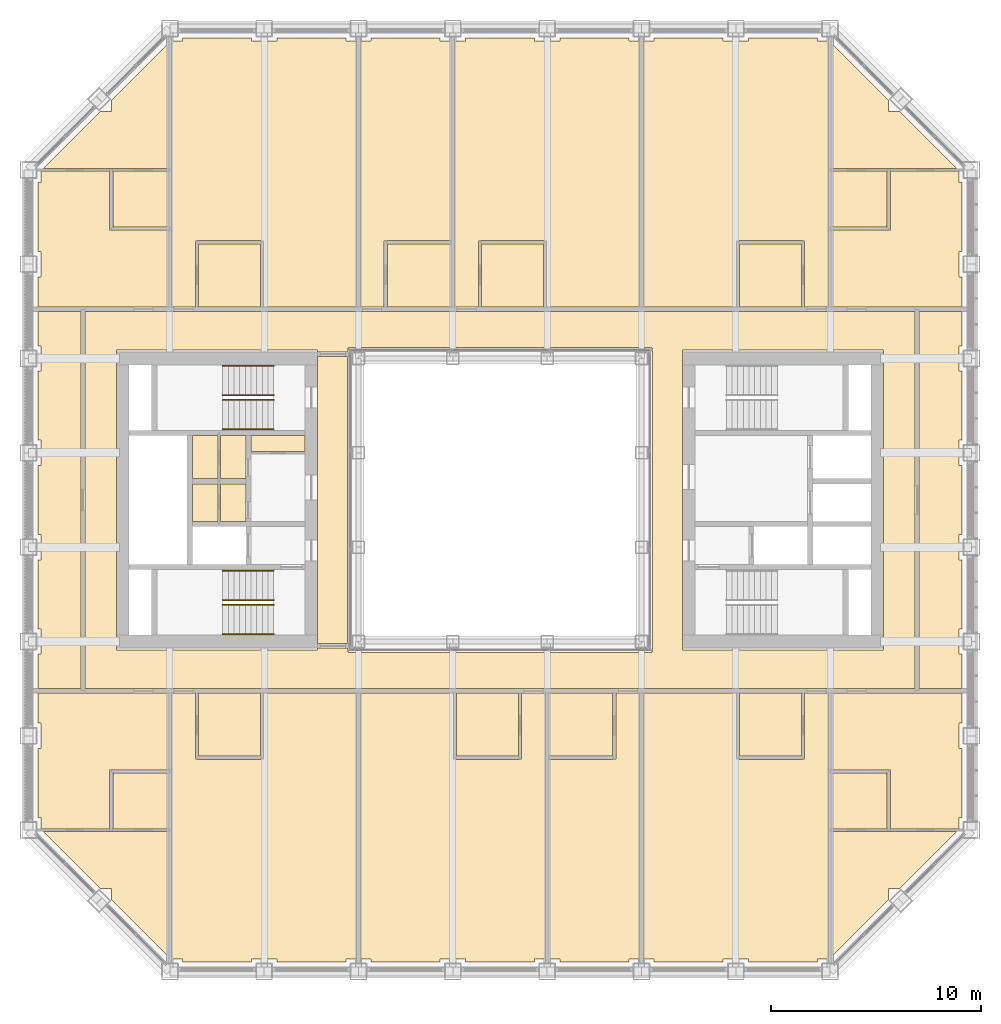
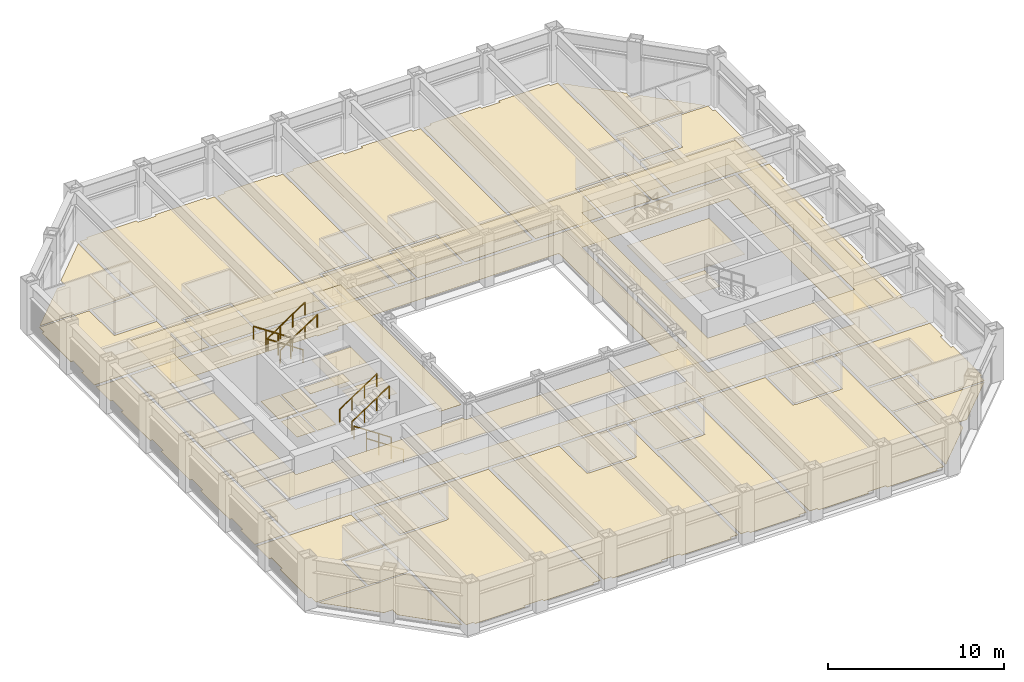
# One storey, part 15 of 17: 8 railings, 6 coverings.
"""IFC4 building model written with IfcOpenShell, lengths in metres."""

from ifc_helpers import new_model, si_unit, direction, frame, origin, origin_2d, place, context, subcontext, project, spatial, line, indexed_curve, circle, outline, extrude, material, layer, layer_set, type_object, element, save


model = new_model("IFC4")

# Units and contexts
model_context = context("Model", 3, precision=1e-05, world=origin(), true_north=direction((0.0, 1.0)))
body_context = subcontext(model_context, "Body", "Model", "MODEL_VIEW")
ifc_project = project(units=[si_unit("LENGTHUNIT", "METRE"), si_unit("AREAUNIT", "SQUARE_METRE"), si_unit("VOLUMEUNIT", "CUBIC_METRE"), si_unit("PLANEANGLEUNIT", "RADIAN"), si_unit("MASSUNIT", "GRAM", prefix="KILO")], contexts=[model_context])

# Site, building, storey
site_placement = place(None, origin())
site = spatial("IfcSite", under=ifc_project, at=site_placement, CompositionType="ELEMENT")
building_placement = place(site_placement, origin())
building = spatial("IfcBuilding", under=site, at=building_placement, Name="Msasa Ring Tower", CompositionType="ELEMENT")
storey_placement = place(building_placement, frame((0.0, 0.0, 165.199951171875)))
storey = spatial("IfcBuildingStorey", under=building, at=storey_placement, Name="L43", CompositionType="ELEMENT", Elevation=165.199951171875)

# Coverings
ifc_material_1 = material(Name="Gypsum plasterboard on a steel suspension grid", Category="steel")
ifc_layer_1 = layer(ifc_material_1, 0.014892578125)
ifc_layer_set_1 = layer_set([ifc_layer_1], Name="C1 SUSPENDED PLASTERBOARD CEILING 15")
covering_type_1 = type_object("IfcCoveringType", Name="C1 SUSPENDED PLASTERBOARD CEILING 15", PredefinedType="CEILING", material=ifc_layer_set_1)
covering_1_placement = place(storey_placement, frame((0.0, 0.0, 2.400146484375)))
element("IfcCovering", 1, at=covering_1_placement, inside=storey, type_object=covering_type_1, Name="Suspended Plasterboard Ceiling 15 circulation L43", PredefinedType="CEILING", context=body_context, shape_type="SweptSolid", body=[
    extrude(outline(indexed_curve([(-19.799560546875, -8.99951171875), (-19.799560546875, 8.99951171875), (19.799560546875, 8.99951171875), (19.799560546875, -8.99951171875)], segments=[line(1, 2, 3, 4, 1)], self_intersect=False), holes=[indexed_curve([(18.300537109375, -7.150390625), (18.300537109375, 7.150390625), (8.699462890625, 7.150390625), (8.699462890625, -7.150390625)], segments=[line(1, 2, 3, 4, 1)], self_intersect=False), indexed_curve([(-8.699462890625, 7.150390625), (-18.300537109375, 7.150390625), (-18.300537109375, -7.150390625), (-8.699462890625, -7.150390625), (-8.699462890625, -7.050537109375), (-7.280029296875, -7.050537109375), (-7.280517578125, -7.23046875), (-7.22998046875, -7.23046875), (-7.22998046875, -7.280029296875), (7.22998046875, -7.280029296875), (7.22998046875, -7.23046875), (7.280517578125, -7.23046875), (7.280517578125, 7.23046875), (7.22998046875, 7.23046875), (7.22998046875, 7.280029296875), (-7.22998046875, 7.280029296875), (-7.22998046875, 7.23046875), (-7.280517578125, 7.23046875), (-7.280029296875, 7.050537109375), (-8.699462890625, 7.050537109375)], segments=[line(1, 2, 3, 4, 5, 6, 7, 8, 9, 10, 11, 12, 13, 14, 15, 16, 17, 18, 19, 20, 1)], self_intersect=False)]), origin(), (0.0, 0.0, 1.0), 0.014892578125),
    extrude(outline(indexed_curve([(-9.300537109375, -3.074462890625), (-11.87451171875, -3.074462890625), (-11.87451171875, -1.275390625), (-9.300537109375, -1.275390625)], segments=[line(1, 2, 3, 4, 1)], self_intersect=False)), origin(), (0.0, 0.0, 1.0), 0.014892578125),
    extrude(outline(indexed_curve([(-11.87451171875, -1.0244140625), (-11.87451171875, 2.194580078125), (-9.300537109375, 2.194580078125), (-9.300537109375, -1.0244140625)], segments=[line(1, 2, 3, 4, 1)], self_intersect=False)), origin(), (0.0, 0.0, 1.0), 0.014892578125),
    extrude(outline(indexed_curve([(11.87451171875, -3.074462890625), (9.300537109375, -3.074462890625), (9.300537109375, -1.275390625), (11.87451171875, -1.275390625)], segments=[line(1, 2, 3, 4, 1)], self_intersect=False)), origin(), (0.0, 0.0, 1.0), 0.014892578125),
    extrude(outline(indexed_curve([(9.300537109375, -1.0244140625), (9.300537109375, 3.074462890625), (14.674560546875, 3.074462890625), (14.674560546875, -1.0244140625)], segments=[line(1, 2, 3, 4, 1)], self_intersect=False)), origin(), (0.0, 0.0, 1.0), 0.014892578125),
])
covering_2_placement = place(storey_placement, frame((0.0, 0.0, 3.199951171875)))
element("IfcCovering", 2, at=covering_2_placement, inside=storey, type_object=covering_type_1, Name="Suspended Plasterboard Ceiling 15 public rooms L43", PredefinedType="CEILING", context=body_context, shape_type="SweptSolid", body=[
    extrude(outline(indexed_curve([(-8.699462890625, 6.849609375), (-7.280029296875, 6.849609375), (-7.280029296875, -6.849609375), (-8.699462890625, -6.849609375)], segments=[line(1, 2, 3, 4, 1)], self_intersect=False)), origin(), (0.0, 0.0, 1.0), 0.01513671875),
])
ifc_material_2 = material(Name="Wool-blend carpet on felt underlay", Category="textile")
ifc_layer_2 = layer(ifc_material_2, 0.011962890625)
ifc_layer_set_2 = layer_set([ifc_layer_2], Name="F2 CARPET ON UNDERLAY 12")
covering_type_2 = type_object("IfcCoveringType", Name="F2 CARPET ON UNDERLAY 12", PredefinedType="FLOORING", material=ifc_layer_set_2)
covering_3_placement = place(storey_placement, origin())
element("IfcCovering", 3, at=covering_3_placement, inside=storey, type_object=covering_type_2, Name="Carpet On Underlay 12 L43", PredefinedType="FLOORING", context=body_context, shape_type="SweptSolid", body=[
    extrude(outline(indexed_curve([(-22.049560546875, -11.8505859375), (-21.8994140625, -11.8505859375), (-21.8994140625, -10.6494140625), (-22.049560546875, -10.6494140625), (-22.049560546875, -9.200439453125), (-15.8505859375, -9.200439453125), (-15.8505859375, -12.869384765625), (-18.630615234375, -12.869384765625), (-18.630615234375, -15.694580078125), (-21.8994140625, -15.694580078125), (-21.8994140625, -15.1494140625), (-22.049560546875, -15.1494140625)], segments=[line(1, 2, 3, 4, 5, 6, 7, 8, 9, 10, 11, 12, 1)], self_intersect=False)), origin(), (0.0, 0.0, 1.0), 0.011962890625),
    extrude(outline(indexed_curve([(-15.8505859375, 9.200439453125), (-22.049560546875, 9.200439453125), (-22.049560546875, 10.6494140625), (-21.8994140625, 10.6494140625), (-21.8994140625, 11.8505859375), (-22.049560546875, 11.8505859375), (-22.049560546875, 15.1494140625), (-21.8994140625, 15.1494140625), (-21.8994140625, 15.694580078125), (-18.630615234375, 15.694580078125), (-18.630615234375, 12.869384765625), (-15.8505859375, 12.869384765625)], segments=[line(1, 2, 3, 4, 5, 6, 7, 8, 9, 10, 11, 12, 1)], self_intersect=False)), origin(), (0.0, 0.0, 1.0), 0.011962890625),
    extrude(outline(indexed_curve([(-15.8505859375, -15.805419921875), (-15.8505859375, -21.762451171875), (-18.5244140625, -19.08837890625), (-18.5244140625, -18.5244140625), (-19.08837890625, -18.5244140625), (-21.807373046875, -15.805419921875)], segments=[line(1, 2, 3, 4, 5, 6, 1)], self_intersect=False)), origin(), (0.0, 0.0, 1.0), 0.011962890625),
    extrude(outline(indexed_curve([(-15.8505859375, 15.805419921875), (-21.807373046875, 15.805419921875), (-19.08837890625, 18.5244140625), (-18.5244140625, 18.5244140625), (-18.5244140625, 19.08837890625), (-15.8505859375, 21.762451171875)], segments=[line(1, 2, 3, 4, 5, 6, 1)], self_intersect=False)), origin(), (0.0, 0.0, 1.0), 0.011962890625),
    extrude(outline(indexed_curve([(-19.799560546875, -8.99951171875), (-19.799560546875, 8.99951171875), (19.799560546875, 8.99951171875), (19.799560546875, -8.99951171875)], segments=[line(1, 2, 3, 4, 1)], self_intersect=False), holes=[indexed_curve([(8.699462890625, -7.150390625), (18.300537109375, -7.150390625), (18.300537109375, 7.150390625), (8.699462890625, 7.150390625)], segments=[line(1, 2, 3, 4, 1)], self_intersect=False), indexed_curve([(-8.699462890625, 7.150390625), (-18.300537109375, 7.150390625), (-18.300537109375, -7.150390625), (-8.699462890625, -7.150390625), (-8.699462890625, -7.050537109375), (-7.280029296875, -7.050537109375), (-7.280517578125, -7.23046875), (-7.22998046875, -7.23046875), (-7.22998046875, -7.280029296875), (7.22998046875, -7.280029296875), (7.22998046875, -7.23046875), (7.280517578125, -7.23046875), (7.280517578125, 7.23046875), (7.22998046875, 7.23046875), (7.22998046875, 7.280029296875), (-7.22998046875, 7.280029296875), (-7.22998046875, 7.23046875), (-7.280517578125, 7.23046875), (-7.280029296875, 7.050537109375), (-8.699462890625, 7.050537109375)], segments=[line(1, 2, 3, 4, 5, 6, 7, 8, 9, 10, 11, 12, 13, 14, 15, 16, 17, 18, 19, 20, 1)], self_intersect=False)]), origin(), (0.0, 0.0, 1.0), 0.011962890625),
    extrude(outline(indexed_curve([(-13.45556640625, -1.0244140625), (-14.674560546875, -1.0244140625), (-14.674560546875, 0.7744140625), (-13.45556640625, 0.7744140625)], segments=[line(1, 2, 3, 4, 1)], self_intersect=False)), origin(), (0.0, 0.0, 1.0), 0.011962890625),
    extrude(outline(indexed_curve([(-13.45556640625, 3.074462890625), (-13.45556640625, 1.025390625), (-14.674560546875, 1.025390625), (-14.674560546875, 3.074462890625)], segments=[line(1, 2, 3, 4, 1)], self_intersect=False)), origin(), (0.0, 0.0, 1.0), 0.011962890625),
    extrude(outline(indexed_curve([(-12.12548828125, -1.0244140625), (-13.344482421875, -1.0244140625), (-13.344482421875, 0.7744140625), (-12.12548828125, 0.7744140625)], segments=[line(1, 2, 3, 4, 1)], self_intersect=False)), origin(), (0.0, 0.0, 1.0), 0.011962890625),
    extrude(outline(indexed_curve([(-12.12548828125, 3.074462890625), (-12.12548828125, 1.025390625), (-13.344482421875, 1.025390625), (-13.344482421875, 3.074462890625)], segments=[line(1, 2, 3, 4, 1)], self_intersect=False)), origin(), (0.0, 0.0, 1.0), 0.011962890625),
    extrude(outline(indexed_curve([(-9.300537109375, 3.074462890625), (-9.300537109375, 2.305419921875), (-11.87451171875, 2.305419921875), (-11.87451171875, 3.074462890625)], segments=[line(1, 2, 3, 4, 1)], self_intersect=False)), origin(), (0.0, 0.0, 1.0), 0.011962890625),
    extrude(outline(indexed_curve([(-6.6494140625, 21.8994140625), (-6.1494140625, 21.8994140625), (-6.1494140625, 22.049560546875), (-2.8505859375, 22.049560546875), (-2.8505859375, 21.8994140625), (-2.3505859375, 21.8994140625), (-2.3505859375, 12.37548828125), (-5.39990234375, 12.37548828125), (-5.39990234375, 12.3505859375), (-5.525390625, 12.35009765625), (-5.525390625, 9.200439453125), (-6.6494140625, 9.200439453125)], segments=[line(1, 2, 3, 4, 5, 6, 7, 8, 9, 10, 11, 12, 1)], self_intersect=False)), origin(), (0.0, 0.0, 1.0), 0.011962890625),
    extrude(outline(indexed_curve([(6.6494140625, -21.8994140625), (6.1494140625, -21.8994140625), (6.1494140625, -22.049560546875), (2.8505859375, -22.049560546875), (2.8505859375, -21.8994140625), (2.3505859375, -21.8994140625), (2.3505859375, -12.37548828125), (5.39990234375, -12.37548828125), (5.39990234375, -12.3505859375), (5.525390625, -12.35009765625), (5.525390625, -9.200439453125), (6.6494140625, -9.200439453125)], segments=[line(1, 2, 3, 4, 5, 6, 7, 8, 9, 10, 11, 12, 1)], self_intersect=False)), origin(), (0.0, 0.0, 1.0), 0.011962890625),
    extrude(outline(indexed_curve([(15.8505859375, -15.805419921875), (21.807373046875, -15.805419921875), (19.08837890625, -18.5244140625), (18.5244140625, -18.5244140625), (18.5244140625, -19.08837890625), (15.8505859375, -21.762451171875)], segments=[line(1, 2, 3, 4, 5, 6, 1)], self_intersect=False)), origin(), (0.0, 0.0, 1.0), 0.011962890625),
    extrude(outline(indexed_curve([(15.8505859375, -9.200439453125), (22.049560546875, -9.200439453125), (22.049560546875, -10.6494140625), (21.8994140625, -10.6494140625), (21.8994140625, -11.8505859375), (22.049560546875, -11.8505859375), (22.049560546875, -15.1494140625), (21.8994140625, -15.1494140625), (21.8994140625, -15.694580078125), (18.630615234375, -15.694580078125), (18.630615234375, -12.869384765625), (15.8505859375, -12.869384765625)], segments=[line(1, 2, 3, 4, 5, 6, 7, 8, 9, 10, 11, 12, 1)], self_intersect=False)), origin(), (0.0, 0.0, 1.0), 0.011962890625),
    extrude(outline(indexed_curve([(22.049560546875, 11.8505859375), (21.8994140625, 11.8505859375), (21.8994140625, 10.6494140625), (22.049560546875, 10.6494140625), (22.049560546875, 9.200439453125), (15.8505859375, 9.200439453125), (15.8505859375, 12.869384765625), (18.630615234375, 12.869384765625), (18.630615234375, 15.694580078125), (21.8994140625, 15.694580078125), (21.8994140625, 15.1494140625), (22.049560546875, 15.1494140625)], segments=[line(1, 2, 3, 4, 5, 6, 7, 8, 9, 10, 11, 12, 1)], self_intersect=False)), origin(), (0.0, 0.0, 1.0), 0.011962890625),
    extrude(outline(indexed_curve([(15.8505859375, 15.805419921875), (15.8505859375, 21.762451171875), (18.5244140625, 19.08837890625), (18.5244140625, 18.5244140625), (19.08837890625, 18.5244140625), (21.807373046875, 15.805419921875)], segments=[line(1, 2, 3, 4, 5, 6, 1)], self_intersect=False)), origin(), (0.0, 0.0, 1.0), 0.011962890625),
])
ifc_material_3 = material(Name="Engineered oak boards on an acoustic underlay", Category="wood")
ifc_layer_3 = layer(ifc_material_3, 0.01806640625)
ifc_layer_set_3 = layer_set([ifc_layer_3], Name="F3 ENGINEERED TIMBER ON ACOUSTIC UNDERLAY 18")
covering_type_3 = type_object("IfcCoveringType", Name="F3 ENGINEERED TIMBER ON ACOUSTIC UNDERLAY 18", PredefinedType="FLOORING", material=ifc_layer_set_3)
covering_4_placement = place(storey_placement, origin())
element("IfcCovering", 4, at=covering_4_placement, inside=storey, type_object=covering_type_3, Name="Engineered Timber On Acoustic Underlay 18 L43", PredefinedType="FLOORING", context=body_context, shape_type="SweptSolid", body=[
    extrude(outline(indexed_curve([(-14.525390625, -9.200439453125), (-14.525390625, -12.35009765625), (-14.39990234375, -12.3505859375), (-14.39990234375, -12.37548828125), (-11.39990234375, -12.37548828125), (-11.39990234375, -12.3505859375), (-11.2744140625, -12.35009765625), (-11.2744140625, -9.200439453125), (-6.8505859375, -9.200439453125), (-6.8505859375, -21.8994140625), (-7.3505859375, -21.8994140625), (-7.3505859375, -22.049560546875), (-10.6494140625, -22.049560546875), (-10.6494140625, -21.8994140625), (-11.8505859375, -21.8994140625), (-11.8505859375, -22.049560546875), (-15.1494140625, -22.049560546875), (-15.1494140625, -21.8994140625), (-15.6494140625, -21.8994140625), (-15.6494140625, -9.200439453125)], segments=[line(1, 2, 3, 4, 5, 6, 7, 8, 9, 10, 11, 12, 13, 14, 15, 16, 17, 18, 19, 20, 1)], self_intersect=False)), origin(), (0.0, 0.0, 1.0), 0.01806640625),
    extrude(outline(indexed_curve([(-11.2744140625, 9.200439453125), (-11.2744140625, 12.35009765625), (-11.39990234375, 12.3505859375), (-11.39990234375, 12.37548828125), (-14.39990234375, 12.37548828125), (-14.39990234375, 12.3505859375), (-14.525390625, 12.35009765625), (-14.525390625, 9.200439453125), (-15.6494140625, 9.200439453125), (-15.6494140625, 21.8994140625), (-15.1494140625, 21.8994140625), (-15.1494140625, 22.049560546875), (-11.8505859375, 22.049560546875), (-11.8505859375, 21.8994140625), (-10.6494140625, 21.8994140625), (-10.6494140625, 22.049560546875), (-7.3505859375, 22.049560546875), (-7.3505859375, 21.8994140625), (-6.8505859375, 21.8994140625), (-6.8505859375, 9.200439453125)], segments=[line(1, 2, 3, 4, 5, 6, 7, 8, 9, 10, 11, 12, 13, 14, 15, 16, 17, 18, 19, 20, 1)], self_intersect=False)), origin(), (0.0, 0.0, 1.0), 0.01806640625),
    extrude(outline(indexed_curve([(-2.10009765625, -12.3505859375), (-2.10009765625, -12.37548828125), (0.89990234375, -12.37548828125), (0.89990234375, -12.3505859375), (1.025390625, -12.35009765625), (1.025390625, -9.200439453125), (2.1494140625, -9.200439453125), (2.1494140625, -21.8994140625), (1.6494140625, -21.8994140625), (1.6494140625, -22.049560546875), (-1.6494140625, -22.049560546875), (-1.6494140625, -21.8994140625), (-2.8505859375, -21.8994140625), (-2.8505859375, -22.049560546875), (-6.1494140625, -22.049560546875), (-6.1494140625, -21.8994140625), (-6.6494140625, -21.8994140625), (-6.6494140625, -9.200439453125), (-2.2255859375, -9.200439453125), (-2.2255859375, -12.35009765625)], segments=[line(1, 2, 3, 4, 5, 6, 7, 8, 9, 10, 11, 12, 13, 14, 15, 16, 17, 18, 19, 20, 1)], self_intersect=False)), origin(), (0.0, 0.0, 1.0), 0.01806640625),
    extrude(outline(indexed_curve([(2.10009765625, 12.3505859375), (2.10009765625, 12.37548828125), (-0.89990234375, 12.37548828125), (-0.89990234375, 12.3505859375), (-1.025390625, 12.35009765625), (-1.025390625, 9.200439453125), (-2.1494140625, 9.200439453125), (-2.1494140625, 21.8994140625), (-1.6494140625, 21.8994140625), (-1.6494140625, 22.049560546875), (1.6494140625, 22.049560546875), (1.6494140625, 21.8994140625), (2.8505859375, 21.8994140625), (2.8505859375, 22.049560546875), (6.1494140625, 22.049560546875), (6.1494140625, 21.8994140625), (6.6494140625, 21.8994140625), (6.6494140625, 9.200439453125), (2.2255859375, 9.200439453125), (2.2255859375, 12.35009765625)], segments=[line(1, 2, 3, 4, 5, 6, 7, 8, 9, 10, 11, 12, 13, 14, 15, 16, 17, 18, 19, 20, 1)], self_intersect=False)), origin(), (0.0, 0.0, 1.0), 0.01806640625),
    extrude(outline(indexed_curve([(11.2744140625, -12.35009765625), (11.39990234375, -12.3505859375), (11.39990234375, -12.37548828125), (14.39990234375, -12.37548828125), (14.39990234375, -12.3505859375), (14.525390625, -12.35009765625), (14.525390625, -9.200439453125), (15.6494140625, -9.200439453125), (15.6494140625, -21.8994140625), (15.1494140625, -21.8994140625), (15.1494140625, -22.049560546875), (11.8505859375, -22.049560546875), (11.8505859375, -21.8994140625), (10.6494140625, -21.8994140625), (10.6494140625, -22.049560546875), (7.3505859375, -22.049560546875), (7.3505859375, -21.8994140625), (6.8505859375, -21.8994140625), (6.8505859375, -9.200439453125), (11.2744140625, -9.200439453125)], segments=[line(1, 2, 3, 4, 5, 6, 7, 8, 9, 10, 11, 12, 13, 14, 15, 16, 17, 18, 19, 20, 1)], self_intersect=False)), origin(), (0.0, 0.0, 1.0), 0.01806640625),
    extrude(outline(indexed_curve([(14.525390625, 12.35009765625), (14.39990234375, 12.3505859375), (14.39990234375, 12.37548828125), (11.39990234375, 12.37548828125), (11.39990234375, 12.3505859375), (11.2744140625, 12.35009765625), (11.2744140625, 9.200439453125), (6.8505859375, 9.200439453125), (6.8505859375, 21.8994140625), (7.3505859375, 21.8994140625), (7.3505859375, 22.049560546875), (10.6494140625, 22.049560546875), (10.6494140625, 21.8994140625), (11.8505859375, 21.8994140625), (11.8505859375, 22.049560546875), (15.1494140625, 22.049560546875), (15.1494140625, 21.8994140625), (15.6494140625, 21.8994140625), (15.6494140625, 9.200439453125), (14.525390625, 9.200439453125)], segments=[line(1, 2, 3, 4, 5, 6, 7, 8, 9, 10, 11, 12, 13, 14, 15, 16, 17, 18, 19, 20, 1)], self_intersect=False)), origin(), (0.0, 0.0, 1.0), 0.01806640625),
])
ifc_material_4 = material(Name="Porcelain floor tiles in adhesive", Category="ceramic")
ifc_layer_4 = layer(ifc_material_4, 0.010009765625)
ifc_layer_set_4 = layer_set([ifc_layer_4], Name="F4 PORCELAIN TILE ON ADHESIVE 10")
covering_type_4 = type_object("IfcCoveringType", Name="F4 PORCELAIN TILE ON ADHESIVE 10", PredefinedType="FLOORING", material=ifc_layer_set_4)
covering_5_placement = place(storey_placement, origin())
element("IfcCovering", 5, at=covering_5_placement, inside=storey, type_object=covering_type_4, Name="Porcelain Tile On Adhesive 10 L43", PredefinedType="FLOORING", context=body_context, shape_type="SweptSolid", body=[
    extrude(outline(indexed_curve([(-18.469482421875, -13.030517578125), (-15.8505859375, -13.030517578125), (-15.8505859375, -15.694580078125), (-18.469482421875, -15.694580078125)], segments=[line(1, 2, 3, 4, 1)], self_intersect=False)), origin(), (0.0, 0.0, 1.0), 0.010009765625),
    extrude(outline(indexed_curve([(-15.8505859375, 15.694580078125), (-15.8505859375, 13.030517578125), (-18.469482421875, 13.030517578125), (-18.469482421875, 15.694580078125)], segments=[line(1, 2, 3, 4, 1)], self_intersect=False)), origin(), (0.0, 0.0, 1.0), 0.010009765625),
    extrude(outline(indexed_curve([(-11.425537109375, -9.200439453125), (-11.425537109375, -12.224609375), (-14.37451171875, -12.224609375), (-14.37451171875, -9.200439453125)], segments=[line(1, 2, 3, 4, 1)], self_intersect=False)), origin(), (0.0, 0.0, 1.0), 0.010009765625),
    extrude(outline(indexed_curve([(-14.37451171875, 9.200439453125), (-14.37451171875, 12.224609375), (-11.425537109375, 12.224609375), (-11.425537109375, 9.200439453125)], segments=[line(1, 2, 3, 4, 1)], self_intersect=False)), origin(), (0.0, 0.0, 1.0), 0.010009765625),
    extrude(outline(indexed_curve([(-2.3505859375, 9.200439453125), (-5.37451171875, 9.200439453125), (-5.37451171875, 12.224609375), (-2.3505859375, 12.224609375)], segments=[line(1, 2, 3, 4, 1)], self_intersect=False)), origin(), (0.0, 0.0, 1.0), 0.010009765625),
    extrude(outline(indexed_curve([(0.87451171875, -9.200439453125), (0.87451171875, -12.224609375), (-2.074462890625, -12.224609375), (-2.074462890625, -9.200439453125)], segments=[line(1, 2, 3, 4, 1)], self_intersect=False)), origin(), (0.0, 0.0, 1.0), 0.010009765625),
    extrude(outline(indexed_curve([(-0.87451171875, 9.200439453125), (-0.87451171875, 12.224609375), (2.074462890625, 12.224609375), (2.074462890625, 9.200439453125)], segments=[line(1, 2, 3, 4, 1)], self_intersect=False)), origin(), (0.0, 0.0, 1.0), 0.010009765625),
    extrude(outline(indexed_curve([(5.37451171875, -9.200439453125), (5.37451171875, -12.224609375), (2.3505859375, -12.224609375), (2.3505859375, -9.200439453125)], segments=[line(1, 2, 3, 4, 1)], self_intersect=False)), origin(), (0.0, 0.0, 1.0), 0.010009765625),
    extrude(outline(indexed_curve([(14.37451171875, -9.200439453125), (14.37451171875, -12.224609375), (11.425537109375, -12.224609375), (11.425537109375, -9.200439453125)], segments=[line(1, 2, 3, 4, 1)], self_intersect=False)), origin(), (0.0, 0.0, 1.0), 0.010009765625),
    extrude(outline(indexed_curve([(11.425537109375, 9.200439453125), (11.425537109375, 12.224609375), (14.37451171875, 12.224609375), (14.37451171875, 9.200439453125)], segments=[line(1, 2, 3, 4, 1)], self_intersect=False)), origin(), (0.0, 0.0, 1.0), 0.010009765625),
    extrude(outline(indexed_curve([(15.8505859375, -13.030517578125), (18.469482421875, -13.030517578125), (18.469482421875, -15.694580078125), (15.8505859375, -15.694580078125)], segments=[line(1, 2, 3, 4, 1)], self_intersect=False)), origin(), (0.0, 0.0, 1.0), 0.010009765625),
    extrude(outline(indexed_curve([(18.469482421875, 15.694580078125), (18.469482421875, 13.030517578125), (15.8505859375, 13.030517578125), (15.8505859375, 15.694580078125)], segments=[line(1, 2, 3, 4, 1)], self_intersect=False)), origin(), (0.0, 0.0, 1.0), 0.010009765625),
])
ifc_material_5 = material(Name="Welded vinyl safety sheet flooring", Category="vinyl")
ifc_layer_5 = layer(ifc_material_5, 0.0029296875)
ifc_layer_set_5 = layer_set([ifc_layer_5], Name="F5 RESILIENT SHEET FLOORING 3")
covering_type_5 = type_object("IfcCoveringType", Name="F5 RESILIENT SHEET FLOORING 3", PredefinedType="FLOORING", material=ifc_layer_set_5)
covering_6_placement = place(storey_placement, origin())
element("IfcCovering", 6, at=covering_6_placement, inside=storey, type_object=covering_type_5, Name="Resilient Sheet Flooring 3 L43", PredefinedType="FLOORING", context=body_context, shape_type="SweptSolid", body=[
    extrude(outline(indexed_curve([(-22.049560546875, -7.3505859375), (-21.8994140625, -7.3505859375), (-21.8994140625, -6.1494140625), (-22.049560546875, -6.1494140625), (-22.049560546875, -2.8505859375), (-21.8994140625, -2.8505859375), (-21.8994140625, -1.6494140625), (-22.049560546875, -1.6494140625), (-22.049560546875, 1.6494140625), (-21.8994140625, 1.6494140625), (-21.8994140625, 2.8505859375), (-22.049560546875, 2.8505859375), (-22.049560546875, 6.1494140625), (-21.8994140625, 6.1494140625), (-21.8994140625, 7.3505859375), (-22.049560546875, 7.3505859375), (-22.049560546875, 8.99951171875), (-20.00048828125, 8.99951171875), (-20.00048828125, -8.99951171875), (-22.049560546875, -8.99951171875)], segments=[line(1, 2, 3, 4, 5, 6, 7, 8, 9, 10, 11, 12, 13, 14, 15, 16, 17, 18, 19, 20, 1)], self_intersect=False)), origin(), (0.0, 0.0, 1.0), 0.0029296875),
    extrude(outline(indexed_curve([(22.049560546875, 8.99951171875), (22.049560546875, 7.3505859375), (21.8994140625, 7.3505859375), (21.8994140625, 6.1494140625), (22.049560546875, 6.1494140625), (22.049560546875, 2.8505859375), (21.8994140625, 2.8505859375), (21.8994140625, 1.6494140625), (22.049560546875, 1.6494140625), (22.049560546875, -1.6494140625), (21.8994140625, -1.6494140625), (21.8994140625, -2.8505859375), (22.049560546875, -2.8505859375), (22.049560546875, -6.1494140625), (21.8994140625, -6.1494140625), (21.8994140625, -7.3505859375), (22.049560546875, -7.3505859375), (22.049560546875, -8.99951171875), (20.00048828125, -8.99951171875), (20.00048828125, 8.99951171875)], segments=[line(1, 2, 3, 4, 5, 6, 7, 8, 9, 10, 11, 12, 13, 14, 15, 16, 17, 18, 19, 20, 1)], self_intersect=False)), origin(), (0.0, 0.0, 1.0), 0.0029296875),
])

# Railings
ifc_material_6 = material(Name="Stainless steel", Category="steel")
railing_type = type_object("IfcRailingType", Name="HR1 HANDRAIL 900", PredefinedType="HANDRAIL", material=ifc_material_6)
for number, where, name in (
    (7, (-10.800048828125, -6.39990234375, 0.179931640625), "Handrail stair SWA L43 1"),
    (8, (-10.800048828125, -5.0, 0.179931640625), "Handrail stair SWA L43 2"),
):
    element("IfcRailing", number, at=place(storey_placement, frame(where)), inside=storey, type_object=railing_type, Name=name, PredefinedType="HANDRAIL", context=body_context, shape_type="SweptSolid", body=[
        extrude(circle(Radius=0.02392578125, at=origin_2d()), frame((0.0, 0.0, 0.8759765625), z_axis=(-0.832024571796, 0.0, 0.554738778101), x_axis=(0.0, -1.0, 0.0)), (0.0, 0.0, 1.0), 2.92041015625),
        extrude(circle(Radius=0.02099609375, at=origin_2d()), origin(), (0.0, 0.0, 1.0), 0.851806640625),
        extrude(circle(Radius=0.02099609375, at=origin_2d()), frame((-0.81005859375, 0.0, 0.5400390625)), (0.0, 0.0, 1.0), 0.851806640625),
        extrude(circle(Radius=0.02099609375, at=origin_2d()), frame((-1.619873046875, 0.0, 1.080078125)), (0.0, 0.0, 1.0), 0.851806640625),
        extrude(circle(Radius=0.02099609375, at=origin_2d()), frame((-2.429931640625, 0.0, 1.6201171875)), (0.0, 0.0, 1.0), 0.851806640625),
    ])
for number, where, name in (
    (9, (-13.22998046875, -4.77490234375, 1.97998046875), "Handrail stair SWA L43 3"),
    (10, (-13.22998046875, -3.375, 1.97998046875), "Handrail stair SWA L43 4"),
):
    element("IfcRailing", number, at=place(storey_placement, frame(where)), inside=storey, type_object=railing_type, Name=name, PredefinedType="HANDRAIL", context=body_context, shape_type="SweptSolid", body=[
        extrude(circle(Radius=0.02392578125, at=origin_2d()), frame((0.0, 0.0, 0.8759765625), z_axis=(0.832024571796, 0.0, 0.554738778101), x_axis=(0.0, 1.0, 0.0)), (0.0, 0.0, 1.0), 2.92041015625),
        extrude(circle(Radius=0.02099609375, at=origin_2d()), origin(), (0.0, 0.0, 1.0), 0.851806640625),
        extrude(circle(Radius=0.02099609375, at=origin_2d()), frame((0.81005859375, 0.0, 0.5400390625)), (0.0, 0.0, 1.0), 0.851806640625),
        extrude(circle(Radius=0.02099609375, at=origin_2d()), frame((1.619873046875, 0.0, 1.080078125)), (0.0, 0.0, 1.0), 0.851806640625),
        extrude(circle(Radius=0.02099609375, at=origin_2d()), frame((2.429931640625, 0.0, 1.6201171875)), (0.0, 0.0, 1.0), 0.851806640625),
    ])
for number, where, name in (
    (11, (-10.800048828125, 5.0, 0.179931640625), "Handrail stair SWB L43 1"),
    (12, (-10.800048828125, 6.39990234375, 0.179931640625), "Handrail stair SWB L43 2"),
):
    element("IfcRailing", number, at=place(storey_placement, frame(where)), inside=storey, type_object=railing_type, Name=name, PredefinedType="HANDRAIL", context=body_context, shape_type="SweptSolid", body=[
        extrude(circle(Radius=0.02392578125, at=origin_2d()), frame((0.0, 0.0, 0.8759765625), z_axis=(-0.832024571796, 0.0, 0.554738778101), x_axis=(0.0, -1.0, 0.0)), (0.0, 0.0, 1.0), 2.92041015625),
        extrude(circle(Radius=0.02099609375, at=origin_2d()), origin(), (0.0, 0.0, 1.0), 0.851806640625),
        extrude(circle(Radius=0.02099609375, at=origin_2d()), frame((-0.81005859375, 0.0, 0.5400390625)), (0.0, 0.0, 1.0), 0.851806640625),
        extrude(circle(Radius=0.02099609375, at=origin_2d()), frame((-1.619873046875, 0.0, 1.080078125)), (0.0, 0.0, 1.0), 0.851806640625),
        extrude(circle(Radius=0.02099609375, at=origin_2d()), frame((-2.429931640625, 0.0, 1.6201171875)), (0.0, 0.0, 1.0), 0.851806640625),
    ])
for number, where, name in (
    (13, (-13.22998046875, 3.375, 1.97998046875), "Handrail stair SWB L43 3"),
    (14, (-13.22998046875, 4.77490234375, 1.97998046875), "Handrail stair SWB L43 4"),
):
    element("IfcRailing", number, at=place(storey_placement, frame(where)), inside=storey, type_object=railing_type, Name=name, PredefinedType="HANDRAIL", context=body_context, shape_type="SweptSolid", body=[
        extrude(circle(Radius=0.02392578125, at=origin_2d()), frame((0.0, 0.0, 0.8759765625), z_axis=(0.832024571796, 0.0, 0.554738778101), x_axis=(0.0, 1.0, 0.0)), (0.0, 0.0, 1.0), 2.92041015625),
        extrude(circle(Radius=0.02099609375, at=origin_2d()), origin(), (0.0, 0.0, 1.0), 0.851806640625),
        extrude(circle(Radius=0.02099609375, at=origin_2d()), frame((0.81005859375, 0.0, 0.5400390625)), (0.0, 0.0, 1.0), 0.851806640625),
        extrude(circle(Radius=0.02099609375, at=origin_2d()), frame((1.619873046875, 0.0, 1.080078125)), (0.0, 0.0, 1.0), 0.851806640625),
        extrude(circle(Radius=0.02099609375, at=origin_2d()), frame((2.429931640625, 0.0, 1.6201171875)), (0.0, 0.0, 1.0), 0.851806640625),
    ])

save(model, "model.ifc")
